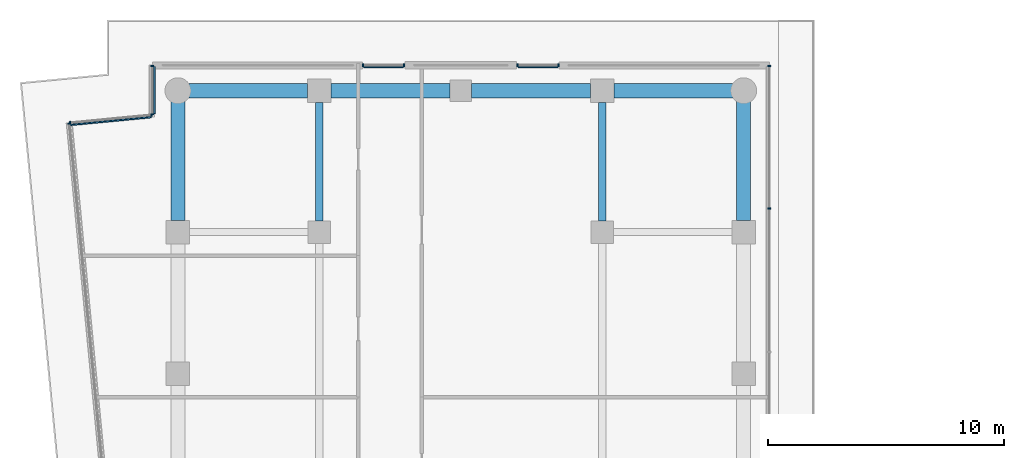
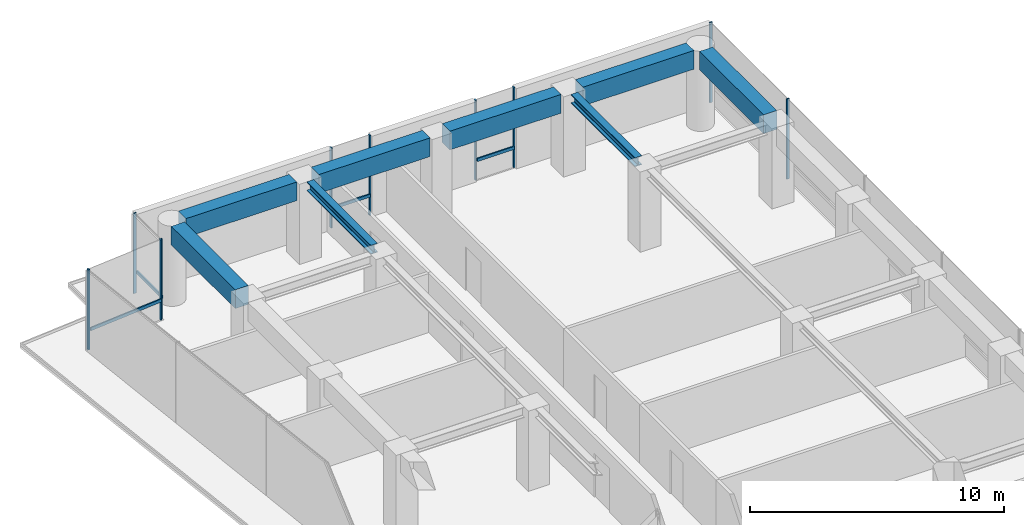
# One storey, part 18 of 28: 15 members, 8 beams, 6 elements without a shape of their own.
"""IFC4 building model written with IfcOpenShell, lengths in metres."""

import ifcopenshell
import ifcopenshell.guid

model = None  # the IFC model being written
_history = None  # IfcOwnerHistory: only IFC2X3 demands one
_inside = {}  # id of a spatial element -> (the spatial element, [elements in it])
_under = {}  # id of a project, library or spatial element -> (it, [spatial elements below it])
_declared = {}  # id of a project -> (the project, [libraries it declares])
_typed = {}  # id of a type object -> (the type object, [elements of that type])
_made_of = {}  # id of a material, layer set ... -> (it, [elements and type objects made of it])


def new_model(schema):
    """Start an empty IFC model of exactly this schema.

    Asked for "IFC4X3", IfcOpenShell would pick the latest addendum, in which some entities
    have other attributes; the version numbers below select the first issue.
    IFC2X3 requires an IfcOwnerHistory on every rooted entity: one is made here for all.
    """
    global model, _history
    if schema == "IFC4X3":
        model = ifcopenshell.file(schema_version=(4, 3, 0, 0))
    else:
        model = ifcopenshell.file(schema=schema)
    _inside.clear()
    _under.clear()
    _declared.clear()
    _typed.clear()
    _made_of.clear()
    _history = None
    if model.schema == "IFC2X3":
        org = make("IfcOrganization", Name="unknown")
        user = make(
            "IfcPersonAndOrganization",
            ThePerson=make("IfcPerson", FamilyName="unknown"),
            TheOrganization=org,
        )
        app = make(
            "IfcApplication",
            ApplicationDeveloper=org,
            Version="unknown",
            ApplicationFullName="unknown",
            ApplicationIdentifier="unknown",
        )
        _history = make(
            "IfcOwnerHistory",
            OwningUser=user,
            OwningApplication=app,
            ChangeAction="ADDED",
            CreationDate=0,
        )
    return model


def make(cls, **values):
    """One entity of the class cls with the attributes given. An attribute that is None is left unset."""
    return model.create_entity(
        cls, **{name: value for name, value in values.items() if value is not None}
    )


def rooted(cls, **values):
    """An entity with a GlobalId (a new one), such as an element, a storey or a relation."""
    return make(cls, GlobalId=ifcopenshell.guid.new(), OwnerHistory=_history, **values)


def si_unit(unit_type, name, prefix=None):
    """IfcSIUnit, for example si_unit("LENGTHUNIT", "METRE", prefix="MILLI")."""
    return make("IfcSIUnit", UnitType=unit_type, Prefix=prefix, Name=name)


def assignment(units):
    """IfcUnitAssignment: the units of a project."""
    return None if units is None else make("IfcUnitAssignment", Units=units)


def point(xyz):
    """IfcCartesianPoint."""
    return None if xyz is None else make("IfcCartesianPoint", Coordinates=xyz)


def direction(xyz):
    """IfcDirection."""
    return None if xyz is None else make("IfcDirection", DirectionRatios=xyz)


def frame(location, z_axis=None, x_axis=None):
    """IfcAxis2Placement3D, a coordinate frame: its origin and axes. An axis left out is left unset."""
    return make(
        "IfcAxis2Placement3D",
        Location=point(location),
        Axis=direction(z_axis),
        RefDirection=direction(x_axis),
    )


def frame_2d(location, x_axis=None):
    """IfcAxis2Placement2D, a coordinate frame in the plane: its origin and x axis."""
    return make(
        "IfcAxis2Placement2D", Location=point(location), RefDirection=direction(x_axis)
    )


def origin():
    """The frame at (0, 0, 0) with its axes left unset."""
    return frame((0.0, 0.0, 0.0))


def origin_2d():
    """The frame at (0, 0) in the plane with its x axis left unset."""
    return frame_2d((0.0, 0.0))


def place(relative_to, where):
    """IfcLocalPlacement: puts the frame where relative to a parent placement (None: the world)."""
    return make(
        "IfcLocalPlacement", PlacementRelTo=relative_to, RelativePlacement=where
    )


def context(
    kind, dimensions, precision=None, world=None, true_north=None, identifier=None
):
    """IfcGeometricRepresentationContext, for example the 3D "Model" context."""
    return make(
        "IfcGeometricRepresentationContext",
        ContextIdentifier=identifier,
        ContextType=kind,
        CoordinateSpaceDimension=dimensions,
        Precision=precision,
        WorldCoordinateSystem=world,
        TrueNorth=true_north,
    )


def subcontext(parent, identifier, kind, view, scale=None):
    """IfcGeometricRepresentationSubContext, for example "Body" below "Model"."""
    return make(
        "IfcGeometricRepresentationSubContext",
        ContextIdentifier=identifier,
        ContextType=kind,
        ParentContext=parent,
        TargetScale=scale,
        TargetView=view,
    )


def project(units=None, contexts=None):
    """IfcProject with its units and contexts."""
    return rooted(
        "IfcProject",
        Name="project",
        RepresentationContexts=contexts,
        UnitsInContext=assignment(units),
    )


def spatial(cls, under=None, at=None, **own):
    """A site, building, storey or space (cls), placed at a placement, below another one or the project."""
    s = rooted(cls, ObjectPlacement=at, **own)
    if under is not None:
        _under.setdefault(under.id(), (under, []))[1].append(s)
    return s


def profile(cls, at=None, kind="AREA", **sizes):
    """A parametric profile (cls). Its sizes go by their IFC names, for example OverallWidth=200.0."""
    return make(cls, ProfileType=kind, Position=at, **sizes)


def rectangle(**sizes):
    """IfcRectangleProfileDef."""
    return profile("IfcRectangleProfileDef", **sizes)


def i_section(**sizes):
    """IfcIShapeProfileDef."""
    return profile("IfcIShapeProfileDef", **sizes)


def extrude(swept, where, along, depth):
    """IfcExtrudedAreaSolid: the profile swept, set in the frame where, extruded along a direction by depth."""
    return make(
        "IfcExtrudedAreaSolid",
        SweptArea=swept,
        Position=where,
        ExtrudedDirection=direction(along),
        Depth=depth,
    )


def shape(context_of_items, identifier, shape_type, items):
    """IfcShapeRepresentation: the items that make up one representation, for example the "Body"."""
    return make(
        "IfcShapeRepresentation",
        ContextOfItems=context_of_items,
        RepresentationIdentifier=identifier,
        RepresentationType=shape_type,
        Items=items,
    )


def material(Name=None, Category=None):
    """IfcMaterial."""
    return make("IfcMaterial", Name=Name, Category=Category)


def layer(
    of_material, thickness, ventilated=None, Name=None, Category=None, Priority=None
):
    """IfcMaterialLayer: one layer of a wall or slab, of a material (None: an air gap)."""
    return make(
        "IfcMaterialLayer",
        Material=of_material,
        LayerThickness=thickness,
        IsVentilated=ventilated,
        Name=Name,
        Category=Category,
        Priority=Priority,
    )


def layer_set(layers, Name=None):
    """IfcMaterialLayerSet."""
    return make("IfcMaterialLayerSet", MaterialLayers=layers, LayerSetName=Name)


def material_profile(
    of_material, cross_section, Name=None, Category=None, Priority=None
):
    """IfcMaterialProfile: a cross section and its material."""
    return make(
        "IfcMaterialProfile",
        Name=Name,
        Material=of_material,
        Profile=cross_section,
        Priority=Priority,
        Category=Category,
    )


def profile_set(profiles, Name=None, composite=None):
    """IfcMaterialProfileSet."""
    return make(
        "IfcMaterialProfileSet",
        Name=Name,
        MaterialProfiles=profiles,
        CompositeProfile=composite,
    )


def made_of(thing, what):
    """Note that an element or type object is made of a material, layer set ...; save() writes the relation."""
    if what is not None:
        _made_of.setdefault(what.id(), (what, []))[1].append(thing)
    return thing


def type_object(cls, material=None, **own):
    """A type object (cls), such as IfcWallType, which elements share."""
    return made_of(rooted(cls, **own), material)


def element(
    cls,
    number,
    at=None,
    inside=None,
    cuts=None,
    type_object=None,
    material=None,
    context=None,
    identifier="Body",
    shape_type=None,
    held_by="IfcProductDefinitionShape",
    body=None,
    shapes=None,
    **own,
):
    """One element of the class cls, such as IfcWall. Its Tag is "e" and its number.

    at: its placement. inside: the storey or other place that contains it. cuts: it is an
    opening in that element (IfcRelVoidsElement). A single representation is given by context,
    identifier, shape_type and body (its items); several are given by shapes. held_by: the class
    of the entity that holds the representations. save() writes the other relations.
    """
    e = rooted(cls, Tag="e%d" % number, ObjectPlacement=at, **own)
    if body is not None:
        shapes = [shape(context, identifier, shape_type, body)]
    if shapes is not None:
        e.Representation = make(held_by, Representations=shapes)
    if inside is not None:
        _inside.setdefault(inside.id(), (inside, []))[1].append(e)
    if cuts is not None:
        rooted(
            "IfcRelVoidsElement", RelatingBuildingElement=cuts, RelatedOpeningElement=e
        )
    if type_object is not None:
        _typed.setdefault(type_object.id(), (type_object, []))[1].append(e)
    return made_of(e, material)


def aggregate(whole, parts):
    """IfcRelAggregates: a whole, such as a stair, and the parts it consists of."""
    return rooted("IfcRelAggregates", RelatingObject=whole, RelatedObjects=parts)


def save(model, path):
    """Write the relations noted so far, then the file.

    IfcRelAggregates (storeys below a building ...), IfcRelContainedInSpatialStructure (elements
    in a storey), IfcRelDefinesByType, IfcRelAssociatesMaterial and IfcRelDeclares: one each for
    every whole, place, type object, material and project.
    """
    for whole, parts in _under.values():
        aggregate(whole, parts)
    for where, things in _inside.values():
        rooted(
            "IfcRelContainedInSpatialStructure",
            RelatedElements=things,
            RelatingStructure=where,
        )
    for kind, things in _typed.values():
        rooted("IfcRelDefinesByType", RelatedObjects=things, RelatingType=kind)
    for what, things in _made_of.values():
        rooted("IfcRelAssociatesMaterial", RelatedObjects=things, RelatingMaterial=what)
    for by, libraries in _declared.values():
        rooted("IfcRelDeclares", RelatingContext=by, RelatedDefinitions=libraries)
    model.write(path)


model = new_model("IFC4")

# Units and contexts
model_context = context("Model", 3, precision=1e-05, world=origin(), true_north=direction((0.0, 1.0)))
body_context = subcontext(model_context, "Body", "Model", "MODEL_VIEW")
ifc_project = project(units=[si_unit("LENGTHUNIT", "METRE"), si_unit("AREAUNIT", "SQUARE_METRE"), si_unit("VOLUMEUNIT", "CUBIC_METRE"), si_unit("PLANEANGLEUNIT", "RADIAN"), si_unit("MASSUNIT", "GRAM", prefix="KILO")], contexts=[model_context])

# Site, building, storey
site_placement = place(None, origin())
site = spatial("IfcSite", under=ifc_project, at=site_placement, CompositionType="ELEMENT")
building_placement = place(site_placement, origin())
building = spatial("IfcBuilding", under=site, at=building_placement, Name="Welwitschia Terrace Campus", CompositionType="ELEMENT")
storey_placement = place(building_placement, frame((0.0, 0.0, 87.800048828125)))
storey = spatial("IfcBuildingStorey", under=building, at=storey_placement, Name="L19", CompositionType="ELEMENT", Elevation=87.800048828125)

# Beams
ifc_material_1 = material(Name="Steel S355", Category="steel")
ifc_material_profile_1 = material_profile(ifc_material_1, i_section(OverallWidth=0.306884765625, OverallDepth=0.431884765625, WebThickness=0.02099609375, FlangeThickness=0.0400390625, FilletRadius=0.027099609375, at=origin_2d()))
ifc_profile_set_1 = profile_set([ifc_material_profile_1], Name="Steel S355")
beam_type_1 = type_object("IfcBeamType", Name="Interior girder HE 400 M", PredefinedType="BEAM", material=ifc_profile_set_1)
for number, where, z_axis, x_axis, name in (
    (1, (6.0, 64.4755859375, 3.634033203125), (0.0, 1.0, 0.0), (-1.0, 0.0, 0.0), "Girder GB3"),
    (2, (18.0, 64.4755859375, 3.634033203125), (0.0, 1.0, 0.0), (-1.0, 0.0, 0.0), "Girder GB3"),
):
    element("IfcBeam", number, at=place(storey_placement, frame(where, z_axis=z_axis, x_axis=x_axis)), inside=storey, type_object=beam_type_1, Name=name, PredefinedType="BEAM", context=body_context, shape_type="SweptSolid", body=[
        extrude(i_section(OverallWidth=0.306884765625, OverallDepth=0.431884765625, WebThickness=0.02099609375, FlangeThickness=0.0400390625, FilletRadius=0.027099609375, at=origin_2d()), origin(), (0.0, 0.0, 1.0), 5.033935546875),
    ])

# Curtain wall, member
ifc_material_2 = material(Name="Bronze anodised aluminium", Category="aluminium")
ifc_layer = layer(ifc_material_2, 0.1201171875)
ifc_layer_set = layer_set([ifc_layer], Name="Bronze anodised aluminium")
curtain_wall_type = type_object("IfcCurtainWallType", Name="Curtain wall CW2 tower 6000", PredefinedType="NOTDEFINED", material=ifc_layer_set)
curtain_wall_1_placement = place(storey_placement, origin())
curtain_wall_1 = element("IfcCurtainWall", 3, at=curtain_wall_1_placement, inside=storey, type_object=curtain_wall_type, Name="CW L19.0.0", PredefinedType="NOTDEFINED")
ifc_material_3 = material(Name="Bronze anodised aluminium", Category="aluminium")
ifc_material_profile_2 = material_profile(ifc_material_3, rectangle(XDim=0.1201171875, YDim=0.06005859375, at=origin_2d()))
ifc_profile_set_2 = profile_set([ifc_material_profile_2], Name="Bronze anodised aluminium")
member_type_1 = type_object("IfcMemberType", Name="Mullion 60x120", PredefinedType="MULLION", material=ifc_profile_set_2)
member_1_placement = place(storey_placement, frame((-4.60693359375, 68.603759765625, 0.0), z_axis=(0.0, 0.0, 1.0), x_axis=(0.995396198367, 0.09584575252, 0.0)))
member_1 = element("IfcMember", 4, at=member_1_placement, type_object=member_type_1, Name="Mullion L19.0.0.0", PredefinedType="MULLION", context=body_context, shape_type="SweptSolid", body=[
    extrude(rectangle(XDim=0.1201171875, YDim=0.06005859375, at=origin_2d()), origin(), (0.0, 0.0, 1.0), 3.849853515625),
])
aggregate(curtain_wall_1, [member_1])

# Curtain wall, members
curtain_wall_2_placement = place(storey_placement, origin())
curtain_wall_2 = element("IfcCurtainWall", 5, at=curtain_wall_2_placement, inside=storey, type_object=curtain_wall_type, Name="CW L19.11.0", PredefinedType="NOTDEFINED")
member_2_placement = place(storey_placement, frame((25.0859375, 64.999267578125, 0.0), z_axis=(0.0, 0.0, 1.0), x_axis=(-1.0, 0.0, 0.0)))
member_2 = element("IfcMember", 6, at=member_2_placement, type_object=member_type_1, Name="Mullion L19.11.0.5", PredefinedType="MULLION", context=body_context, shape_type="SweptSolid", body=[
    extrude(rectangle(XDim=0.1201171875, YDim=0.06005859375, at=origin_2d()), origin(), (0.0, 0.0, 1.0), 3.849853515625),
])
member_3_placement = place(storey_placement, frame((25.0859375, 71.055908203125, 0.0), z_axis=(0.0, 0.0, 1.0), x_axis=(-1.0, 0.0, 0.0)))
member_3 = element("IfcMember", 7, at=member_3_placement, type_object=member_type_1, Name="Mullion L19.11.0.6", PredefinedType="MULLION", context=body_context, shape_type="SweptSolid", body=[
    extrude(rectangle(XDim=0.1201171875, YDim=0.06005859375, at=origin_2d()), origin(), (0.0, 0.0, 1.0), 3.849853515625),
])
aggregate(curtain_wall_2, [member_2, member_3])

curtain_wall_3_placement = place(storey_placement, origin())
curtain_wall_3 = element("IfcCurtainWall", 8, at=curtain_wall_3_placement, inside=storey, type_object=curtain_wall_type, Name="CW L19.12.S0", PredefinedType="NOTDEFINED")
member_4_placement = place(storey_placement, frame((16.1416015625, 71.0859375, 0.0), z_axis=(0.0, 0.0, 1.0), x_axis=(0.0, -1.0, 0.0)))
member_4 = element("IfcMember", 9, at=member_4_placement, type_object=member_type_1, Name="Mullion L19.12.S0.0", PredefinedType="MULLION", context=body_context, shape_type="SweptSolid", body=[
    extrude(rectangle(XDim=0.1201171875, YDim=0.06005859375, at=origin_2d()), origin(), (0.0, 0.0, 1.0), 3.849853515625),
])
member_5_placement = place(storey_placement, frame((14.401611328125, 71.0859375, 0.0), z_axis=(0.0, 0.0, 1.0), x_axis=(0.0, -1.0, 0.0)))
member_5 = element("IfcMember", 10, at=member_5_placement, type_object=member_type_1, Name="Mullion L19.12.S0.1", PredefinedType="MULLION", context=body_context, shape_type="SweptSolid", body=[
    extrude(rectangle(XDim=0.1201171875, YDim=0.06005859375, at=origin_2d()), origin(), (0.0, 0.0, 1.0), 3.849853515625),
])

curtain_wall_4_placement = place(storey_placement, origin())
curtain_wall_4 = element("IfcCurtainWall", 11, at=curtain_wall_4_placement, inside=storey, type_object=curtain_wall_type, Name="CW L19.12.S1", PredefinedType="NOTDEFINED")
member_6_placement = place(storey_placement, frame((9.598388671875, 71.0859375, 0.0), z_axis=(0.0, 0.0, 1.0), x_axis=(0.0, -1.0, 0.0)))
member_6 = element("IfcMember", 12, at=member_6_placement, type_object=member_type_1, Name="Mullion L19.12.S1.0", PredefinedType="MULLION", context=body_context, shape_type="SweptSolid", body=[
    extrude(rectangle(XDim=0.1201171875, YDim=0.06005859375, at=origin_2d()), origin(), (0.0, 0.0, 1.0), 3.849853515625),
])
member_7_placement = place(storey_placement, frame((7.8583984375, 71.0859375, 0.0), z_axis=(0.0, 0.0, 1.0), x_axis=(0.0, -1.0, 0.0)))
member_7 = element("IfcMember", 13, at=member_7_placement, type_object=member_type_1, Name="Mullion L19.12.S1.1", PredefinedType="MULLION", context=body_context, shape_type="SweptSolid", body=[
    extrude(rectangle(XDim=0.1201171875, YDim=0.06005859375, at=origin_2d()), origin(), (0.0, 0.0, 1.0), 3.849853515625),
])

curtain_wall_5_placement = place(storey_placement, origin())
curtain_wall_5 = element("IfcCurtainWall", 14, at=curtain_wall_5_placement, inside=storey, type_object=curtain_wall_type, Name="CW L19.13.0", PredefinedType="NOTDEFINED")
member_8_placement = place(storey_placement, frame((-1.0859375, 71.055908203125, 0.0), z_axis=(0.0, 0.0, 1.0), x_axis=(1.0, 0.0, 0.0)))
member_8 = element("IfcMember", 15, at=member_8_placement, type_object=member_type_1, Name="Mullion L19.13.0.0", PredefinedType="MULLION", context=body_context, shape_type="SweptSolid", body=[
    extrude(rectangle(XDim=0.1201171875, YDim=0.06005859375, at=origin_2d()), origin(), (0.0, 0.0, 1.0), 3.849853515625),
])
member_9_placement = place(storey_placement, frame((-1.0859375, 69.0029296875, 0.0), z_axis=(0.0, 0.0, 1.0), x_axis=(1.0, 0.0, 0.0)))
member_9 = element("IfcMember", 16, at=member_9_placement, type_object=member_type_1, Name="Mullion L19.13.0.1", PredefinedType="MULLION", context=body_context, shape_type="SweptSolid", body=[
    extrude(rectangle(XDim=0.1201171875, YDim=0.06005859375, at=origin_2d()), origin(), (0.0, 0.0, 1.0), 3.849853515625),
])

curtain_wall_6_placement = place(storey_placement, origin())
curtain_wall_6 = element("IfcCurtainWall", 17, at=curtain_wall_6_placement, inside=storey, type_object=curtain_wall_type, Name="CW L19.14.0", PredefinedType="NOTDEFINED")
member_10_placement = place(storey_placement, frame((-1.115966796875, 68.97021484375, 0.0), z_axis=(0.0, 0.0, 1.0), x_axis=(0.09584575252, -0.995396198367, 0.0)))
member_10 = element("IfcMember", 18, at=member_10_placement, type_object=member_type_1, Name="Mullion L19.14.0.0", PredefinedType="MULLION", context=body_context, shape_type="SweptSolid", body=[
    extrude(rectangle(XDim=0.1201171875, YDim=0.06005859375, at=origin_2d()), origin(), (0.0, 0.0, 1.0), 3.849853515625),
])
member_11_placement = place(storey_placement, frame((-4.579833984375, 68.63671875, 0.0), z_axis=(0.0, 0.0, 1.0), x_axis=(0.09584575252, -0.995396198367, 0.0)))
member_11 = element("IfcMember", 19, at=member_11_placement, type_object=member_type_1, Name="Mullion L19.14.0.1", PredefinedType="MULLION", context=body_context, shape_type="SweptSolid", body=[
    extrude(rectangle(XDim=0.1201171875, YDim=0.06005859375, at=origin_2d()), origin(), (0.0, 0.0, 1.0), 3.849853515625),
])

# Beams
ifc_material_4 = material(Name="Concrete C60/75", Category="concrete")
ifc_material_profile_3 = material_profile(ifc_material_4, rectangle(XDim=0.60009765625, YDim=0.89990234375, at=origin_2d()))
ifc_profile_set_3 = profile_set([ifc_material_profile_3], Name="Concrete C60/75")
beam_type_2 = type_object("IfcBeamType", Name="Ring spandrel 600x900", PredefinedType="SPANDREL", material=ifc_profile_set_3)
for number, where, z_axis, x_axis, name in (
    (20, (24.0, 64.50048828125, 3.39990234375), (0.0, 1.0, 0.0), (-1.0, 0.0, 0.0), "Spandrel SP2"),
    (21, (23.53857421875, 70.0, 3.39990234375), (-1.0, 0.0, 0.0), (0.0, -1.0, 0.0), "Spandrel SP2"),
):
    element("IfcBeam", number, at=place(storey_placement, frame(where, z_axis=z_axis, x_axis=x_axis)), inside=storey, type_object=beam_type_2, Name=name, PredefinedType="SPANDREL", context=body_context, shape_type="SweptSolid", body=[
        extrude(rectangle(XDim=0.60009765625, YDim=0.89990234375, at=origin_2d()), origin(), (0.0, 0.0, 1.0), 5.0380859375),
    ])
for number, where, z_axis, x_axis, name in (
    (22, (17.49951171875, 70.0, 3.39990234375), (-1.0, 0.0, 0.0), (0.0, -1.0, 0.0), "Spandrel SP2"),
    (23, (11.549560546875, 70.0, 3.39990234375), (-1.0, 0.0, 0.0), (0.0, -1.0, 0.0), "Spandrel SP2"),
):
    element("IfcBeam", number, at=place(storey_placement, frame(where, z_axis=z_axis, x_axis=x_axis)), inside=storey, type_object=beam_type_2, Name=name, PredefinedType="SPANDREL", context=body_context, shape_type="SweptSolid", body=[
        extrude(rectangle(XDim=0.60009765625, YDim=0.89990234375, at=origin_2d()), origin(), (0.0, 0.0, 1.0), 5.049072265625),
    ])
for number, where, z_axis, x_axis, name in (
    (24, (5.49951171875, 70.0, 3.39990234375), (-1.0, 0.0, 0.0), (0.0, -1.0, 0.0), "Spandrel SP2"),
    (25, (0.0, 69.53857421875, 3.39990234375), (0.0, -1.0, 0.0), (1.0, 0.0, 0.0), "Spandrel SP2"),
):
    element("IfcBeam", number, at=place(storey_placement, frame(where, z_axis=z_axis, x_axis=x_axis)), inside=storey, type_object=beam_type_2, Name=name, PredefinedType="SPANDREL", context=body_context, shape_type="SweptSolid", body=[
        extrude(rectangle(XDim=0.60009765625, YDim=0.89990234375, at=origin_2d()), origin(), (0.0, 0.0, 1.0), 5.0380859375),
    ])

# Member
ifc_material_5 = material(Name="Bronze anodised aluminium", Category="aluminium")
ifc_material_profile_4 = material_profile(ifc_material_5, rectangle(XDim=0.06005859375, YDim=0.14990234375, at=origin_2d()))
ifc_profile_set_4 = profile_set([ifc_material_profile_4], Name="Bronze anodised aluminium")
member_type_2 = type_object("IfcMemberType", Name="Transom 60x150", PredefinedType="USERDEFINED", material=ifc_profile_set_4)
member_12_placement = place(storey_placement, frame((16.111572265625, 70.99609375, 1.0), z_axis=(-1.0, 0.0, 0.0), x_axis=(0.0, -1.0, 0.0)))
member_12 = element("IfcMember", 26, at=member_12_placement, type_object=member_type_2, Name="Transom L19.12.S0", ObjectType="TRANSOM", PredefinedType="USERDEFINED", context=body_context, shape_type="SweptSolid", body=[
    extrude(rectangle(XDim=0.06005859375, YDim=0.14990234375, at=origin_2d()), origin(), (0.0, 0.0, 1.0), 1.68017578125),
])

aggregate(curtain_wall_3, [member_4, member_5, member_12])

member_13_placement = place(storey_placement, frame((9.568603515625, 70.99609375, 1.0), z_axis=(-1.0, 0.0, 0.0), x_axis=(0.0, -1.0, 0.0)))
member_13 = element("IfcMember", 27, at=member_13_placement, type_object=member_type_2, Name="Transom L19.12.S1", ObjectType="TRANSOM", PredefinedType="USERDEFINED", context=body_context, shape_type="SweptSolid", body=[
    extrude(rectangle(XDim=0.06005859375, YDim=0.14990234375, at=origin_2d()), origin(), (0.0, 0.0, 1.0), 1.68017578125),
])

aggregate(curtain_wall_4, [member_6, member_7, member_13])

member_14_placement = place(storey_placement, frame((-0.99609375, 71.02587890625, 1.0), z_axis=(0.0, -1.0, 0.0), x_axis=(1.0, 0.0, 0.0)))
member_14 = element("IfcMember", 28, at=member_14_placement, type_object=member_type_2, Name="Transom L19.13.0", ObjectType="TRANSOM", PredefinedType="USERDEFINED", context=body_context, shape_type="SweptSolid", body=[
    extrude(rectangle(XDim=0.06005859375, YDim=0.14990234375, at=origin_2d()), origin(), (0.0, 0.0, 1.0), 1.992919921875),
])

aggregate(curtain_wall_5, [member_8, member_9, member_14])

member_15_placement = place(storey_placement, frame((-1.13720703125, 68.877685546875, 1.0), z_axis=(-0.995393188795, -0.09587700298, 0.0), x_axis=(0.09587700298, -0.995393188795, 0.0)))
member_15 = element("IfcMember", 29, at=member_15_placement, type_object=member_type_2, Name="Transom L19.14.0", ObjectType="TRANSOM", PredefinedType="USERDEFINED", context=body_context, shape_type="SweptSolid", body=[
    extrude(rectangle(XDim=0.06005859375, YDim=0.14990234375, at=origin_2d()), origin(), (0.0, 0.0, 1.0), 3.419921875),
])

aggregate(curtain_wall_6, [member_10, member_11, member_15])

save(model, "model.ifc")
